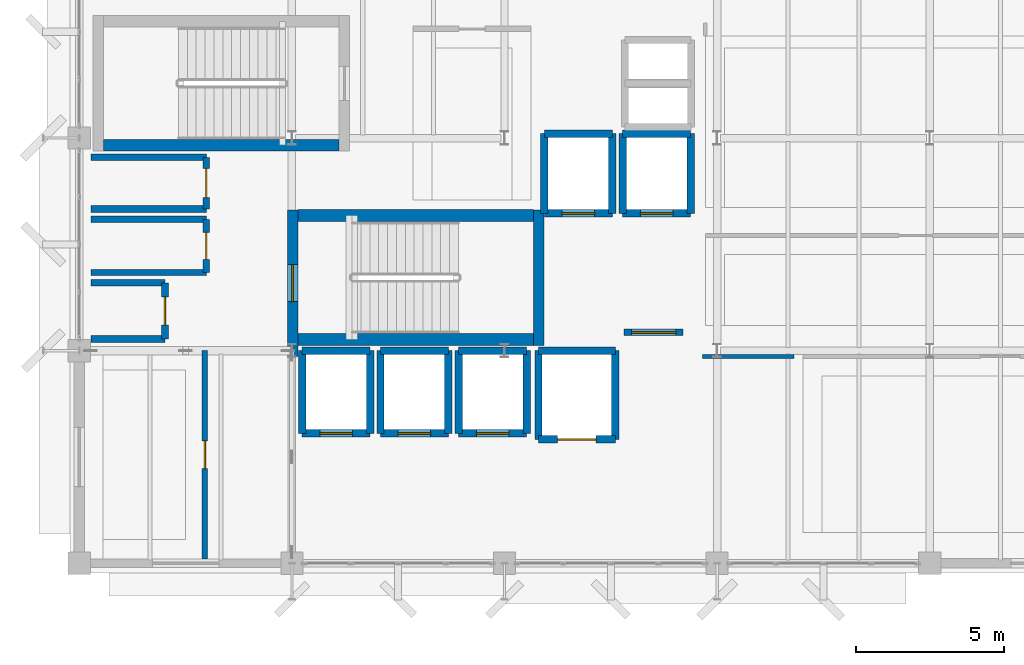
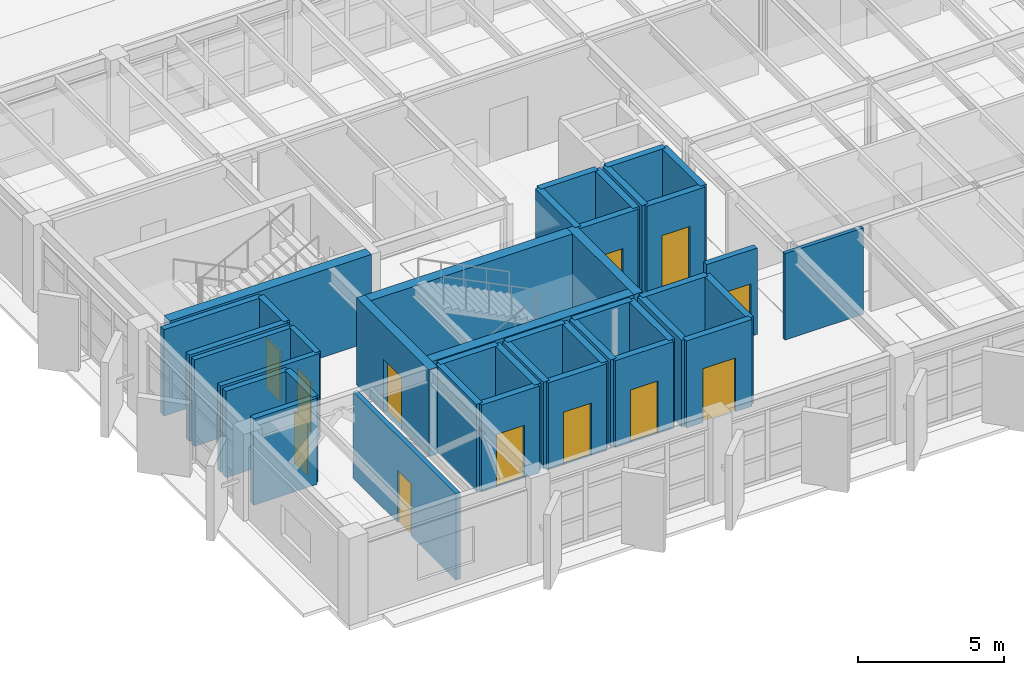
# One storey, part 31 of 48: 41 walls, 12 doors, 12 openings.
"""IFC4 building model written with IfcOpenShell, lengths in metres."""

from ifc_helpers import new_model, si_unit, direction, frame, frame_2d, origin, place, context, subcontext, project, spatial, rectangle, extrude, material, layer, layer_set, type_object, element, fill, save


model = new_model("IFC4")

# Units and contexts
model_context = context("Model", 3, precision=1e-05, world=origin(), true_north=direction((0.0, 1.0)))
body_context = subcontext(model_context, "Body", "Model", "MODEL_VIEW")
ifc_project = project(units=[si_unit("LENGTHUNIT", "METRE"), si_unit("AREAUNIT", "SQUARE_METRE"), si_unit("VOLUMEUNIT", "CUBIC_METRE"), si_unit("PLANEANGLEUNIT", "RADIAN"), si_unit("MASSUNIT", "GRAM", prefix="KILO")], contexts=[model_context])

# Site, building, storey
site_placement = place(None, origin())
site = spatial("IfcSite", under=ifc_project, at=site_placement, CompositionType="ELEMENT")
building_placement = place(site_placement, origin())
building = spatial("IfcBuilding", under=site, at=building_placement, Name="Kandorven Conservatory and Botanical Research Centre", CompositionType="ELEMENT")
storey_placement = place(building_placement, frame((0.0, 0.0, 13.199951171875)))
storey = spatial("IfcBuildingStorey", under=building, at=storey_placement, Name="L03", CompositionType="ELEMENT", Elevation=13.199951171875)

# Walls
ifc_material_1 = material(Name="Concrete C40/50 (M50)", Category="concrete")
ifc_layer_1 = layer(ifc_material_1, 0.39990234375)
ifc_layer_set_1 = layer_set([ifc_layer_1], Name="Concrete C40/50 (M50)")
wall_type_1 = type_object("IfcWallType", Name="Wall_CW-RC-1", PredefinedType="SHEAR", material=ifc_layer_set_1)
for number, where, z_axis, x_axis, name in (
    (1, (13.39990234375, 13.574951171875, 0.0), (0.0, 0.0, 1.0), (1.0, 0.0, 0.0), "Core stair shear wall CW-RC-1 ST-T1 L03 side A"),
    (2, (13.39990234375, 17.77490234375, 0.0), (0.0, 0.0, 1.0), (1.0, 0.0, 0.0), "Core stair shear wall CW-RC-1 ST-T1 L03 side B"),
    (3, (14.800048828125, 20.155029296875, 0.0), (0.0, 0.0, 1.0), (-1.0, 0.0, 0.0), "Core stair shear wall CW-RC-1 ST-T2 L03 side B"),
):
    element("IfcWall", number, at=place(storey_placement, frame(where, z_axis=z_axis, x_axis=x_axis)), inside=storey, type_object=wall_type_1, Name=name, PredefinedType="SHEAR", context=body_context, shape_type="SweptSolid", body=[
        extrude(rectangle(XDim=7.97998046875, YDim=0.39990234375, at=frame_2d((3.989990234375, 0.0))), origin(), (0.0, 0.0, 1.0), 3.635009765625),
    ])

# Wall, opening, door
ifc_material_2 = material(Name="Concrete C40/50 (M50)", Category="concrete")
ifc_layer_2 = layer(ifc_material_2, 0.35009765625)
ifc_layer_set_2 = layer_set([ifc_layer_2], Name="Concrete C40/50 (M50)")
wall_type_2 = type_object("IfcWallType", Name="Wall_CW-RC-2", PredefinedType="SHEAR", material=ifc_layer_set_2)
wall_1_placement = place(storey_placement, frame((13.22509765625, 13.0, 0.0), z_axis=(0.0, 0.0, 1.0), x_axis=(0.0, 1.0, 0.0)))
wall_1 = element("IfcWall", 4, at=wall_1_placement, inside=storey, type_object=wall_type_2, Name="Core stair shear wall CW-RC-2 ST-T1 L03 entry", PredefinedType="SHEAR", context=body_context, shape_type="SweptSolid", body=[
    extrude(rectangle(XDim=4.969970703125, YDim=0.35009765625, at=frame_2d((2.48486328125, 0.0))), origin(), (0.0, 0.0, 1.0), 3.635009765625),
])
opening_1_placement = place(wall_1_placement, frame((1.860107421875, 0.0, 0.0)))
opening_1 = element("IfcOpeningElement", 5, at=opening_1_placement, cuts=wall_1, Name="Opening FD-1", PredefinedType="OPENING", context=body_context, shape_type="SweptSolid", body=[
    extrude(rectangle(XDim=1.25, YDim=2.199951171875, at=frame_2d((0.625, 1.10009765625))), frame((0.0, 0.18505859375, 0.0), z_axis=(0.0, -1.0, 0.0), x_axis=(1.0, 0.0, 0.0)), (0.0, 0.0, 1.0), 0.3701171875),
])
ifc_material_3 = material(Name="Galvanised hollow steel fire door assembly", Category="steel")
door_type_1 = type_object("IfcDoorType", Name="Door_FD-1", OperationType="NOTDEFINED", PredefinedType="DOOR", material=ifc_material_3)
door_1_placement = place(opening_1_placement, origin())
door_1 = element("IfcDoor", 6, at=door_1_placement, inside=storey, type_object=door_type_1, Name="Exit stair fire door FD-1 ST-T1 L03", OperationType="SINGLE_SWING_RIGHT", OverallHeight=2.199951171875, OverallWidth=1.25, PredefinedType="DOOR", context=body_context, shape_type="SweptSolid", body=[
    extrude(rectangle(XDim=1.25, YDim=2.199951171875, at=frame_2d((0.625, 1.10009765625))), frame((0.0, 0.02490234375, 0.0), z_axis=(0.0, -1.0, 0.0), x_axis=(1.0, 0.0, 0.0)), (0.0, 0.0, 1.0), 0.050048828125),
])
fill(opening_1, door_1)

# Wall
wall_2_placement = place(storey_placement, frame((21.554931640625, 13.3798828125, 0.0), z_axis=(0.0, 0.0, 1.0), x_axis=(0.0, 1.0, 0.0)))
element("IfcWall", 7, at=wall_2_placement, inside=storey, type_object=wall_type_2, Name="Core stair shear wall CW-RC-2 ST-T1 L03 far", PredefinedType="SHEAR", context=body_context, shape_type="SweptSolid", body=[
    extrude(rectangle(XDim=4.590087890625, YDim=0.35009765625, at=frame_2d((2.294921875, 0.0))), origin(), (0.0, 0.0, 1.0), 3.635009765625),
])

# Wall, opening, door
wall_3_placement = place(storey_placement, frame((21.75, 17.85009765625, 0.0), z_axis=(0.0, 0.0, 1.0), x_axis=(1.0, 0.0, 0.0)))
wall_3 = element("IfcWall", 8, at=wall_3_placement, inside=storey, type_object=wall_type_2, Name="Lift shaft wall FFL-1 L03 S", PredefinedType="SHEAR", context=body_context, shape_type="SweptSolid", body=[
    extrude(rectangle(XDim=2.300048828125, YDim=0.25, at=frame_2d((1.14990234375, 0.0))), origin(), (0.0, 0.0, 1.0), 3.635009765625),
])
opening_2_placement = place(wall_3_placement, frame((0.60009765625, 0.0, 0.0)))
opening_2 = element("IfcOpeningElement", 9, at=opening_2_placement, cuts=wall_3, Name="Opening LD-01", PredefinedType="OPENING", context=body_context, shape_type="SweptSolid", body=[
    extrude(rectangle(XDim=1.10009765625, YDim=2.199951171875, at=frame_2d((0.550048828125, 1.10009765625))), frame((0.0, 0.135009765625, 0.0), z_axis=(0.0, -1.0, 0.0), x_axis=(1.0, 0.0, 0.0)), (0.0, 0.0, 1.0), 0.27001953125),
])
ifc_material_4 = material(Name="Anodised aluminium sliding landing door", Category="aluminium")
door_type_2 = type_object("IfcDoorType", Name="Door_LD-01", OperationType="DOUBLE_DOOR_SLIDING", PredefinedType="DOOR", material=ifc_material_4)
door_2_placement = place(opening_2_placement, origin())
door_2 = element("IfcDoor", 10, at=door_2_placement, inside=storey, type_object=door_type_2, Name="Lift landing sliding door LD-01 (FFL-1 L03)", OperationType="DOUBLE_DOOR_SLIDING", OverallHeight=2.199951171875, OverallWidth=1.10009765625, PredefinedType="DOOR", context=body_context, shape_type="SweptSolid", body=[
    extrude(rectangle(XDim=1.10009765625, YDim=2.199951171875, at=frame_2d((0.550048828125, 1.10009765625))), frame((0.0, 0.02490234375, 0.0), z_axis=(0.0, -1.0, 0.0), x_axis=(1.0, 0.0, 0.0)), (0.0, 0.0, 1.0), 0.050048828125),
])
fill(opening_2, door_2)

# Walls
wall_4_placement = place(storey_placement, frame((21.75, 20.550048828125, 0.0), z_axis=(0.0, 0.0, 1.0), x_axis=(1.0, 0.0, 0.0)))
element("IfcWall", 11, at=wall_4_placement, inside=storey, type_object=wall_type_2, Name="Lift shaft wall FFL-1 L03 N", PredefinedType="SHEAR", context=body_context, shape_type="SweptSolid", body=[
    extrude(rectangle(XDim=2.300048828125, YDim=0.25, at=frame_2d((1.14990234375, 0.0))), origin(), (0.0, 0.0, 1.0), 3.635009765625),
])
for number, where, z_axis, x_axis, name in (
    (12, (21.75, 17.85009765625, 0.0), (0.0, 0.0, 1.0), (0.0, 1.0, 0.0), "Lift shaft wall FFL-1 L03 W"),
    (13, (24.050048828125, 17.85009765625, 0.0), (0.0, 0.0, 1.0), (0.0, 1.0, 0.0), "Lift shaft wall FFL-1 L03 E"),
):
    element("IfcWall", number, at=place(storey_placement, frame(where, z_axis=z_axis, x_axis=x_axis)), inside=storey, type_object=wall_type_2, Name=name, PredefinedType="SHEAR", context=body_context, shape_type="SweptSolid", body=[
        extrude(rectangle(XDim=2.699951171875, YDim=0.25, at=frame_2d((1.35009765625, 0.0))), origin(), (0.0, 0.0, 1.0), 3.635009765625),
    ])

# Wall, opening, door
wall_5_placement = place(storey_placement, frame((24.39990234375, 17.85009765625, 0.0), z_axis=(0.0, 0.0, 1.0), x_axis=(1.0, 0.0, 0.0)))
wall_5 = element("IfcWall", 14, at=wall_5_placement, inside=storey, type_object=wall_type_2, Name="Lift shaft wall FFL-2 L03 S", PredefinedType="SHEAR", context=body_context, shape_type="SweptSolid", body=[
    extrude(rectangle(XDim=2.300048828125, YDim=0.25, at=frame_2d((1.14990234375, 0.0))), origin(), (0.0, 0.0, 1.0), 3.635009765625),
])
opening_3_placement = place(wall_5_placement, frame((0.60009765625, 0.0, 0.0)))
opening_3 = element("IfcOpeningElement", 15, at=opening_3_placement, cuts=wall_5, Name="Opening LD-01", PredefinedType="OPENING", context=body_context, shape_type="SweptSolid", body=[
    extrude(rectangle(XDim=1.10009765625, YDim=2.199951171875, at=frame_2d((0.550048828125, 1.10009765625))), frame((0.0, 0.135009765625, 0.0), z_axis=(0.0, -1.0, 0.0), x_axis=(1.0, 0.0, 0.0)), (0.0, 0.0, 1.0), 0.27001953125),
])
door_3_placement = place(opening_3_placement, origin())
door_3 = element("IfcDoor", 16, at=door_3_placement, inside=storey, type_object=door_type_2, Name="Lift landing sliding door LD-01 (FFL-2 L03)", OperationType="DOUBLE_DOOR_SLIDING", OverallHeight=2.199951171875, OverallWidth=1.10009765625, PredefinedType="DOOR", context=body_context, shape_type="SweptSolid", body=[
    extrude(rectangle(XDim=1.10009765625, YDim=2.199951171875, at=frame_2d((0.550048828125, 1.10009765625))), frame((0.0, 0.02490234375, 0.0), z_axis=(0.0, -1.0, 0.0), x_axis=(1.0, 0.0, 0.0)), (0.0, 0.0, 1.0), 0.050048828125),
])
fill(opening_3, door_3)

# Walls
wall_6_placement = place(storey_placement, frame((24.39990234375, 20.550048828125, 0.0), z_axis=(0.0, 0.0, 1.0), x_axis=(1.0, 0.0, 0.0)))
element("IfcWall", 17, at=wall_6_placement, inside=storey, type_object=wall_type_2, Name="Lift shaft wall FFL-2 L03 N", PredefinedType="SHEAR", context=body_context, shape_type="SweptSolid", body=[
    extrude(rectangle(XDim=2.300048828125, YDim=0.25, at=frame_2d((1.14990234375, 0.0))), origin(), (0.0, 0.0, 1.0), 3.635009765625),
])
for number, where, z_axis, x_axis, name in (
    (18, (24.39990234375, 17.85009765625, 0.0), (0.0, 0.0, 1.0), (0.0, 1.0, 0.0), "Lift shaft wall FFL-2 L03 W"),
    (19, (26.699951171875, 17.85009765625, 0.0), (0.0, 0.0, 1.0), (0.0, 1.0, 0.0), "Lift shaft wall FFL-2 L03 E"),
):
    element("IfcWall", number, at=place(storey_placement, frame(where, z_axis=z_axis, x_axis=x_axis)), inside=storey, type_object=wall_type_2, Name=name, PredefinedType="SHEAR", context=body_context, shape_type="SweptSolid", body=[
        extrude(rectangle(XDim=2.699951171875, YDim=0.25, at=frame_2d((1.35009765625, 0.0))), origin(), (0.0, 0.0, 1.0), 3.635009765625),
    ])

# Wall, opening, door
wall_7_placement = place(storey_placement, frame((13.550048828125, 10.39990234375, 0.0), z_axis=(0.0, 0.0, 1.0), x_axis=(1.0, 0.0, 0.0)))
wall_7 = element("IfcWall", 20, at=wall_7_placement, inside=storey, type_object=wall_type_2, Name="Lift shaft wall PL-1 L03 S", PredefinedType="SHEAR", context=body_context, shape_type="SweptSolid", body=[
    extrude(rectangle(XDim=2.300048828125, YDim=0.25, at=frame_2d((1.14990234375, 0.0))), origin(), (0.0, 0.0, 1.0), 3.635009765625),
])
opening_4_placement = place(wall_7_placement, frame((0.60009765625, 0.0, 0.0)))
opening_4 = element("IfcOpeningElement", 21, at=opening_4_placement, cuts=wall_7, Name="Opening LD-01", PredefinedType="OPENING", context=body_context, shape_type="SweptSolid", body=[
    extrude(rectangle(XDim=1.10009765625, YDim=2.199951171875, at=frame_2d((0.550048828125, 1.10009765625))), frame((0.0, 0.135009765625, 0.0), z_axis=(0.0, -1.0, 0.0), x_axis=(1.0, 0.0, 0.0)), (0.0, 0.0, 1.0), 0.27001953125),
])
door_4_placement = place(opening_4_placement, origin())
door_4 = element("IfcDoor", 22, at=door_4_placement, inside=storey, type_object=door_type_2, Name="Lift landing sliding door LD-01 (PL-1 L03)", OperationType="DOUBLE_DOOR_SLIDING", OverallHeight=2.199951171875, OverallWidth=1.10009765625, PredefinedType="DOOR", context=body_context, shape_type="SweptSolid", body=[
    extrude(rectangle(XDim=1.10009765625, YDim=2.199951171875, at=frame_2d((0.550048828125, 1.10009765625))), frame((0.0, 0.02490234375, 0.0), z_axis=(0.0, -1.0, 0.0), x_axis=(1.0, 0.0, 0.0)), (0.0, 0.0, 1.0), 0.050048828125),
])
fill(opening_4, door_4)

# Walls
wall_8_placement = place(storey_placement, frame((13.550048828125, 13.199951171875, 0.0), z_axis=(0.0, 0.0, 1.0), x_axis=(1.0, 0.0, 0.0)))
element("IfcWall", 23, at=wall_8_placement, inside=storey, type_object=wall_type_2, Name="Lift shaft wall PL-1 L03 N", PredefinedType="SHEAR", context=body_context, shape_type="SweptSolid", body=[
    extrude(rectangle(XDim=2.300048828125, YDim=0.25, at=frame_2d((1.14990234375, 0.0))), origin(), (0.0, 0.0, 1.0), 3.635009765625),
])
for number, where, z_axis, x_axis, name in (
    (24, (13.550048828125, 10.39990234375, 0.0), (0.0, 0.0, 1.0), (0.0, 1.0, 0.0), "Lift shaft wall PL-1 L03 W"),
    (25, (15.85009765625, 10.39990234375, 0.0), (0.0, 0.0, 1.0), (0.0, 1.0, 0.0), "Lift shaft wall PL-1 L03 E"),
):
    element("IfcWall", number, at=place(storey_placement, frame(where, z_axis=z_axis, x_axis=x_axis)), inside=storey, type_object=wall_type_2, Name=name, PredefinedType="SHEAR", context=body_context, shape_type="SweptSolid", body=[
        extrude(rectangle(XDim=2.800048828125, YDim=0.25, at=frame_2d((1.39990234375, 0.0))), origin(), (0.0, 0.0, 1.0), 3.635009765625),
    ])

# Wall, opening, door
wall_9_placement = place(storey_placement, frame((16.199951171875, 10.39990234375, 0.0), z_axis=(0.0, 0.0, 1.0), x_axis=(1.0, 0.0, 0.0)))
wall_9 = element("IfcWall", 26, at=wall_9_placement, inside=storey, type_object=wall_type_2, Name="Lift shaft wall PL-2 L03 S", PredefinedType="SHEAR", context=body_context, shape_type="SweptSolid", body=[
    extrude(rectangle(XDim=2.300048828125, YDim=0.25, at=frame_2d((1.14990234375, 0.0))), origin(), (0.0, 0.0, 1.0), 3.635009765625),
])
opening_5_placement = place(wall_9_placement, frame((0.60009765625, 0.0, 0.0)))
opening_5 = element("IfcOpeningElement", 27, at=opening_5_placement, cuts=wall_9, Name="Opening LD-01", PredefinedType="OPENING", context=body_context, shape_type="SweptSolid", body=[
    extrude(rectangle(XDim=1.10009765625, YDim=2.199951171875, at=frame_2d((0.550048828125, 1.10009765625))), frame((0.0, 0.135009765625, 0.0), z_axis=(0.0, -1.0, 0.0), x_axis=(1.0, 0.0, 0.0)), (0.0, 0.0, 1.0), 0.27001953125),
])
door_5_placement = place(opening_5_placement, origin())
door_5 = element("IfcDoor", 28, at=door_5_placement, inside=storey, type_object=door_type_2, Name="Lift landing sliding door LD-01 (PL-2 L03)", OperationType="DOUBLE_DOOR_SLIDING", OverallHeight=2.199951171875, OverallWidth=1.10009765625, PredefinedType="DOOR", context=body_context, shape_type="SweptSolid", body=[
    extrude(rectangle(XDim=1.10009765625, YDim=2.199951171875, at=frame_2d((0.550048828125, 1.10009765625))), frame((0.0, 0.02490234375, 0.0), z_axis=(0.0, -1.0, 0.0), x_axis=(1.0, 0.0, 0.0)), (0.0, 0.0, 1.0), 0.050048828125),
])
fill(opening_5, door_5)

# Walls
wall_10_placement = place(storey_placement, frame((16.199951171875, 13.199951171875, 0.0), z_axis=(0.0, 0.0, 1.0), x_axis=(1.0, 0.0, 0.0)))
element("IfcWall", 29, at=wall_10_placement, inside=storey, type_object=wall_type_2, Name="Lift shaft wall PL-2 L03 N", PredefinedType="SHEAR", context=body_context, shape_type="SweptSolid", body=[
    extrude(rectangle(XDim=2.300048828125, YDim=0.25, at=frame_2d((1.14990234375, 0.0))), origin(), (0.0, 0.0, 1.0), 3.635009765625),
])
for number, where, z_axis, x_axis, name in (
    (30, (16.199951171875, 10.39990234375, 0.0), (0.0, 0.0, 1.0), (0.0, 1.0, 0.0), "Lift shaft wall PL-2 L03 W"),
    (31, (18.5, 10.39990234375, 0.0), (0.0, 0.0, 1.0), (0.0, 1.0, 0.0), "Lift shaft wall PL-2 L03 E"),
):
    element("IfcWall", number, at=place(storey_placement, frame(where, z_axis=z_axis, x_axis=x_axis)), inside=storey, type_object=wall_type_2, Name=name, PredefinedType="SHEAR", context=body_context, shape_type="SweptSolid", body=[
        extrude(rectangle(XDim=2.800048828125, YDim=0.25, at=frame_2d((1.39990234375, 0.0))), origin(), (0.0, 0.0, 1.0), 3.635009765625),
    ])

# Wall, opening, door
wall_11_placement = place(storey_placement, frame((18.85009765625, 10.39990234375, 0.0), z_axis=(0.0, 0.0, 1.0), x_axis=(1.0, 0.0, 0.0)))
wall_11 = element("IfcWall", 32, at=wall_11_placement, inside=storey, type_object=wall_type_2, Name="Lift shaft wall PL-3 L03 S", PredefinedType="SHEAR", context=body_context, shape_type="SweptSolid", body=[
    extrude(rectangle(XDim=2.2998046875, YDim=0.25, at=frame_2d((1.14990234375, 0.0))), origin(), (0.0, 0.0, 1.0), 3.635009765625),
])
opening_6_placement = place(wall_11_placement, frame((0.60009765625, 0.0, 0.0)))
opening_6 = element("IfcOpeningElement", 33, at=opening_6_placement, cuts=wall_11, Name="Opening LD-01", PredefinedType="OPENING", context=body_context, shape_type="SweptSolid", body=[
    extrude(rectangle(XDim=1.10009765625, YDim=2.199951171875, at=frame_2d((0.550048828125, 1.10009765625))), frame((0.0, 0.135009765625, 0.0), z_axis=(0.0, -1.0, 0.0), x_axis=(1.0, 0.0, 0.0)), (0.0, 0.0, 1.0), 0.27001953125),
])
door_6_placement = place(opening_6_placement, origin())
door_6 = element("IfcDoor", 34, at=door_6_placement, inside=storey, type_object=door_type_2, Name="Lift landing sliding door LD-01 (PL-3 L03)", OperationType="DOUBLE_DOOR_SLIDING", OverallHeight=2.199951171875, OverallWidth=1.10009765625, PredefinedType="DOOR", context=body_context, shape_type="SweptSolid", body=[
    extrude(rectangle(XDim=1.10009765625, YDim=2.199951171875, at=frame_2d((0.550048828125, 1.10009765625))), frame((0.0, 0.02490234375, 0.0), z_axis=(0.0, -1.0, 0.0), x_axis=(1.0, 0.0, 0.0)), (0.0, 0.0, 1.0), 0.050048828125),
])
fill(opening_6, door_6)

# Walls
wall_12_placement = place(storey_placement, frame((18.85009765625, 13.199951171875, 0.0), z_axis=(0.0, 0.0, 1.0), x_axis=(1.0, 0.0, 0.0)))
element("IfcWall", 35, at=wall_12_placement, inside=storey, type_object=wall_type_2, Name="Lift shaft wall PL-3 L03 N", PredefinedType="SHEAR", context=body_context, shape_type="SweptSolid", body=[
    extrude(rectangle(XDim=2.2998046875, YDim=0.25, at=frame_2d((1.14990234375, 0.0))), origin(), (0.0, 0.0, 1.0), 3.635009765625),
])
for number, where, z_axis, x_axis, name in (
    (36, (18.85009765625, 10.39990234375, 0.0), (0.0, 0.0, 1.0), (0.0, 1.0, 0.0), "Lift shaft wall PL-3 L03 W"),
    (37, (21.14990234375, 10.39990234375, 0.0), (0.0, 0.0, 1.0), (0.0, 1.0, 0.0), "Lift shaft wall PL-3 L03 E"),
):
    element("IfcWall", number, at=place(storey_placement, frame(where, z_axis=z_axis, x_axis=x_axis)), inside=storey, type_object=wall_type_2, Name=name, PredefinedType="SHEAR", context=body_context, shape_type="SweptSolid", body=[
        extrude(rectangle(XDim=2.800048828125, YDim=0.25, at=frame_2d((1.39990234375, 0.0))), origin(), (0.0, 0.0, 1.0), 3.635009765625),
    ])

# Wall, opening, door
wall_13_placement = place(storey_placement, frame((21.550048828125, 10.199951171875, 0.0), z_axis=(0.0, 0.0, 1.0), x_axis=(1.0, 0.0, 0.0)))
wall_13 = element("IfcWall", 38, at=wall_13_placement, inside=storey, type_object=wall_type_2, Name="Lift shaft wall GL-1 L03 S", PredefinedType="SHEAR", context=body_context, shape_type="SweptSolid", body=[
    extrude(rectangle(XDim=2.599853515625, YDim=0.25, at=frame_2d((1.2998046875, 0.0))), origin(), (0.0, 0.0, 1.0), 3.635009765625),
])
opening_7_placement = place(wall_13_placement, frame((0.64990234375, 0.0, 0.0)))
opening_7 = element("IfcOpeningElement", 39, at=opening_7_placement, cuts=wall_13, Name="Opening LD-02", PredefinedType="OPENING", context=body_context, shape_type="SweptSolid", body=[
    extrude(rectangle(XDim=1.300048828125, YDim=2.25, at=frame_2d((0.64990234375, 1.125))), frame((0.0, 0.135009765625, 0.0), z_axis=(0.0, -1.0, 0.0), x_axis=(1.0, 0.0, 0.0)), (0.0, 0.0, 1.0), 0.27001953125),
])
ifc_material_5 = material(Name="Anodised aluminium sliding landing door", Category="aluminium")
door_type_3 = type_object("IfcDoorType", Name="Door_LD-02", OperationType="DOUBLE_DOOR_SLIDING", PredefinedType="DOOR", material=ifc_material_5)
door_7_placement = place(opening_7_placement, origin())
door_7 = element("IfcDoor", 40, at=door_7_placement, inside=storey, type_object=door_type_3, Name="Lift landing sliding door LD-02 (GL-1 L03)", OperationType="DOUBLE_DOOR_SLIDING", OverallHeight=2.25, OverallWidth=1.300048828125, PredefinedType="DOOR", context=body_context, shape_type="SweptSolid", body=[
    extrude(rectangle(XDim=1.300048828125, YDim=2.25, at=frame_2d((0.64990234375, 1.125))), frame((0.0, 0.02490234375, 0.0), z_axis=(0.0, -1.0, 0.0), x_axis=(1.0, 0.0, 0.0)), (0.0, 0.0, 1.0), 0.050048828125),
])
fill(opening_7, door_7)

# Walls
wall_14_placement = place(storey_placement, frame((21.550048828125, 13.199951171875, 0.0), z_axis=(0.0, 0.0, 1.0), x_axis=(1.0, 0.0, 0.0)))
element("IfcWall", 41, at=wall_14_placement, inside=storey, type_object=wall_type_2, Name="Lift shaft wall GL-1 L03 N", PredefinedType="SHEAR", context=body_context, shape_type="SweptSolid", body=[
    extrude(rectangle(XDim=2.599853515625, YDim=0.25, at=frame_2d((1.2998046875, 0.0))), origin(), (0.0, 0.0, 1.0), 3.635009765625),
])
for number, where, z_axis, x_axis, name in (
    (42, (21.550048828125, 10.199951171875, 0.0), (0.0, 0.0, 1.0), (0.0, 1.0, 0.0), "Lift shaft wall GL-1 L03 W"),
    (43, (24.14990234375, 10.199951171875, 0.0), (0.0, 0.0, 1.0), (0.0, 1.0, 0.0), "Lift shaft wall GL-1 L03 E"),
):
    element("IfcWall", number, at=place(storey_placement, frame(where, z_axis=z_axis, x_axis=x_axis)), inside=storey, type_object=wall_type_2, Name=name, PredefinedType="SHEAR", context=body_context, shape_type="SweptSolid", body=[
        extrude(rectangle(XDim=3.0, YDim=0.25, at=frame_2d((1.5, 0.0))), origin(), (0.0, 0.0, 1.0), 3.635009765625),
    ])

# Wall, opening, door
ifc_material_6 = material(Name="Autoclaved aerated concrete blockwork masonry", Category="masonry")
ifc_layer_3 = layer(ifc_material_6, 0.179931640625)
ifc_layer_set_3 = layer_set([ifc_layer_3], Name="Autoclaved aerated concrete blockwork masonry")
wall_type_3 = type_object("IfcWallType", Name="Wall_IW-03", PredefinedType="PARTITIONING", material=ifc_layer_set_3)
wall_15_placement = place(storey_placement, frame((10.25, 6.14990234375, 0.0), z_axis=(0.0, 0.0, 1.0), x_axis=(0.0, 1.0, 0.0)))
wall_15 = element("IfcWall", 44, at=wall_15_placement, inside=storey, type_object=wall_type_3, Name="Interior partition wall IW-03 (Botanical Chemotaxonomy Research Laboratory L03)", PredefinedType="PARTITIONING", context=body_context, shape_type="SweptSolid", body=[
    extrude(rectangle(XDim=7.050048828125, YDim=0.179931640625, at=frame_2d((3.52490234375, 0.0))), origin(), (0.0, 0.0, 1.0), 3.614990234375),
])
opening_8_placement = place(wall_15_placement, frame((3.054931640625, 0.0, 0.0)))
opening_8 = element("IfcOpeningElement", 45, at=opening_8_placement, cuts=wall_15, Name="Opening D-20", PredefinedType="OPENING", context=body_context, shape_type="SweptSolid", body=[
    extrude(rectangle(XDim=0.93994140625, YDim=2.179931640625, at=frame_2d((0.469970703125, 1.08984375))), frame((0.0, 0.099853515625, 0.0), z_axis=(0.0, -1.0, 0.0), x_axis=(1.0, 0.0, 0.0)), (0.0, 0.0, 1.0), 0.199951171875),
])
ifc_material_7 = material(Name="Solid core acoustic teak-veneered timber leaf", Category="wood")
door_type_4 = type_object("IfcDoorType", Name="Door_D-20", OperationType="NOTDEFINED", PredefinedType="DOOR", material=ifc_material_7)
door_8_placement = place(opening_8_placement, frame((0.93994140625, 0.0, 0.0), z_axis=(0.0, 0.0, 1.0), x_axis=(-1.0, 0.0, 0.0)))
door_8 = element("IfcDoor", 46, at=door_8_placement, inside=storey, type_object=door_type_4, Name="Interior door D-20 to Botanical Chemotaxonomy Research Laboratory L03", OperationType="SINGLE_SWING_RIGHT", OverallHeight=2.179931640625, OverallWidth=0.93994140625, PredefinedType="DOOR", context=body_context, shape_type="SweptSolid", body=[
    extrude(rectangle(XDim=0.93994140625, YDim=2.179931640625, at=frame_2d((0.469970703125, 1.08984375))), frame((0.0, 0.02490234375, 0.0), z_axis=(0.0, -1.0, 0.0), x_axis=(1.0, 0.0, 0.0)), (0.0, 0.0, 1.0), 0.050048828125),
])
fill(opening_8, door_8)

# Wall
ifc_material_8 = material(Name="Fire-rated acoustic gypsum board partition", Category="gypsum")
ifc_layer_4 = layer(ifc_material_8, 0.139892578125)
ifc_layer_set_4 = layer_set([ifc_layer_4], Name="Fire-rated acoustic gypsum board partition")
wall_type_4 = type_object("IfcWallType", Name="Wall_IW-06", PredefinedType="PARTITIONING", material=ifc_layer_set_4)
wall_16_placement = place(storey_placement, frame((27.10009765625, 13.0, 0.0), z_axis=(0.0, 0.0, 1.0), x_axis=(1.0, 0.0, 0.0)))
element("IfcWall", 47, at=wall_16_placement, inside=storey, type_object=wall_type_4, Name="Interior partition wall IW-06 (Mycology Research Laboratory L03)", PredefinedType="PARTITIONING", context=body_context, shape_type="SweptSolid", body=[
    extrude(rectangle(XDim=3.099853515625, YDim=0.139892578125, at=frame_2d((1.5498046875, 0.0))), origin(), (0.0, 0.0, 1.0), 3.614990234375),
])

# Wall, opening, door
ifc_material_9 = material(Name="Concrete C32/40 (M40)", Category="concrete")
ifc_layer_5 = layer(ifc_material_9, 0.22509765625)
ifc_layer_set_5 = layer_set([ifc_layer_5], Name="Concrete C32/40 (M40)")
wall_type_5 = type_object("IfcWallType", Name="Wall_IW-FR-2", PredefinedType="SOLIDWALL", material=ifc_layer_set_5)
wall_17_placement = place(storey_placement, frame((24.449951171875, 13.820068359375, 0.0), z_axis=(0.0, 0.0, 1.0), x_axis=(1.0, 0.0, 0.0)))
wall_17 = element("IfcWall", 48, at=wall_17_placement, inside=storey, type_object=wall_type_5, Name="Interior fire partition wall IW-FR-2 (Firefighting Lift Lobby L03)", PredefinedType="SOLIDWALL", context=body_context, shape_type="SweptSolid", body=[
    extrude(rectangle(XDim=2.0, YDim=0.22509765625, at=frame_2d((1.0, 0.0))), origin(), (0.0, 0.0, 1.0), 3.614990234375),
])
opening_9_placement = place(wall_17_placement, frame((0.25, 0.0, 0.0)))
opening_9 = element("IfcOpeningElement", 49, at=opening_9_placement, cuts=wall_17, Name="Opening FD-3", PredefinedType="OPENING", context=body_context, shape_type="SweptSolid", body=[
    extrude(rectangle(XDim=1.5, YDim=2.199951171875, at=frame_2d((0.75, 1.10009765625))), frame((0.0, 0.12255859375, 0.0), z_axis=(0.0, -1.0, 0.0), x_axis=(1.0, 0.0, 0.0)), (0.0, 0.0, 1.0), 0.2451171875),
])
ifc_material_10 = material(Name="Galvanised hollow steel fire door assembly", Category="steel")
door_type_5 = type_object("IfcDoorType", Name="Door_FD-3", OperationType="NOTDEFINED", PredefinedType="DOOR", material=ifc_material_10)
door_9_placement = place(opening_9_placement, origin())
door_9 = element("IfcDoor", 50, at=door_9_placement, inside=storey, type_object=door_type_5, Name="Interior door FD-3 to Firefighting Lift Lobby L03", OperationType="SINGLE_SWING_LEFT", OverallHeight=2.199951171875, OverallWidth=1.5, PredefinedType="DOOR", context=body_context, shape_type="SweptSolid", body=[
    extrude(rectangle(XDim=1.5, YDim=2.199951171875, at=frame_2d((0.75, 1.10009765625))), frame((0.0, 0.02490234375, 0.0), z_axis=(0.0, -1.0, 0.0), x_axis=(1.0, 0.0, 0.0)), (0.0, 0.0, 1.0), 0.050048828125),
])
fill(opening_9, door_9)

ifc_material_11 = material(Name="Autoclaved aerated concrete blockwork masonry", Category="masonry")
ifc_layer_6 = layer(ifc_material_11, 0.22998046875)
ifc_layer_set_6 = layer_set([ifc_layer_6], Name="Autoclaved aerated concrete blockwork masonry")
wall_type_6 = type_object("IfcWallType", Name="Wall_PW-PL-1", PredefinedType="PLUMBINGWALL", material=ifc_layer_set_6)
wall_18_placement = place(storey_placement, frame((8.89990234375, 13.60009765625, 0.0), z_axis=(0.0, 0.0, 1.0), x_axis=(0.0, 1.0, 0.0)))
wall_18 = element("IfcWall", 51, at=wall_18_placement, inside=storey, type_object=wall_type_6, Name="Interior partition wall PW-PL-1 (Accessible WC L03)", PredefinedType="PLUMBINGWALL", context=body_context, shape_type="SweptSolid", body=[
    extrude(rectangle(XDim=1.89990234375, YDim=0.22998046875, at=frame_2d((0.949951171875, 0.0))), origin(), (0.0, 0.0, 1.0), 3.614990234375),
])
opening_10_placement = place(wall_18_placement, frame((0.47509765625, 0.0, 0.0)))
opening_10 = element("IfcOpeningElement", 52, at=opening_10_placement, cuts=wall_18, Name="Opening D-01", PredefinedType="OPENING", context=body_context, shape_type="SweptSolid", body=[
    extrude(rectangle(XDim=0.949951171875, YDim=2.14990234375, at=frame_2d((0.47509765625, 1.074951171875))), frame((0.0, 0.125, 0.0), z_axis=(0.0, -1.0, 0.0), x_axis=(1.0, 0.0, 0.0)), (0.0, 0.0, 1.0), 0.25),
])
ifc_material_12 = material(Name="Solid core acoustic teak-veneered timber leaf", Category="wood")
door_type_6 = type_object("IfcDoorType", Name="Door_D-01", OperationType="NOTDEFINED", PredefinedType="DOOR", material=ifc_material_12)
door_10_placement = place(opening_10_placement, origin())
door_10 = element("IfcDoor", 53, at=door_10_placement, inside=storey, type_object=door_type_6, Name="Interior door D-01 to Accessible WC L03", OperationType="SINGLE_SWING_RIGHT", OverallHeight=2.14990234375, OverallWidth=0.949951171875, PredefinedType="DOOR", context=body_context, shape_type="SweptSolid", body=[
    extrude(rectangle(XDim=0.949951171875, YDim=2.14990234375, at=frame_2d((0.47509765625, 1.074951171875))), frame((0.0, 0.02490234375, 0.0), z_axis=(0.0, -1.0, 0.0), x_axis=(1.0, 0.0, 0.0)), (0.0, 0.0, 1.0), 0.050048828125),
])
fill(opening_10, door_10)

# Walls
for number, where, z_axis, x_axis, name in (
    (54, (6.39990234375, 13.60009765625, 0.0), (0.0, 0.0, 1.0), (1.0, 0.0, 0.0), "Sanitary enclosure wall PW-PL-1 (Accessible WC L03 S)"),
    (55, (6.39990234375, 15.5, 0.0), (0.0, 0.0, 1.0), (1.0, 0.0, 0.0), "Sanitary enclosure wall PW-PL-1 (Accessible WC L03 N)"),
):
    element("IfcWall", number, at=place(storey_placement, frame(where, z_axis=z_axis, x_axis=x_axis)), inside=storey, type_object=wall_type_6, Name=name, PredefinedType="PLUMBINGWALL", context=body_context, shape_type="SweptSolid", body=[
        extrude(rectangle(XDim=2.5, YDim=0.22998046875, at=frame_2d((1.25, 0.0))), origin(), (0.0, 0.0, 1.0), 3.614990234375),
    ])

# Wall, opening, door
wall_19_placement = place(storey_placement, frame((10.300048828125, 18.0, 0.0), z_axis=(0.0, 0.0, 1.0), x_axis=(0.0, 1.0, 0.0)))
wall_19 = element("IfcWall", 56, at=wall_19_placement, inside=storey, type_object=wall_type_6, Name="Interior partition wall PW-PL-1 (Public Male WC L03)", PredefinedType="PLUMBINGWALL", context=body_context, shape_type="SweptSolid", body=[
    extrude(rectangle(XDim=1.75, YDim=0.22998046875, at=frame_2d((0.875, 0.0))), origin(), (0.0, 0.0, 1.0), 3.614990234375),
])
opening_11_placement = place(wall_19_placement, frame((0.385009765625, 0.0, 0.0)))
opening_11 = element("IfcOpeningElement", 57, at=opening_11_placement, cuts=wall_19, Name="Opening D-12", PredefinedType="OPENING", context=body_context, shape_type="SweptSolid", body=[
    extrude(rectangle(XDim=0.97998046875, YDim=2.10009765625, at=frame_2d((0.489990234375, 1.050048828125))), frame((0.0, 0.125, 0.0), z_axis=(0.0, -1.0, 0.0), x_axis=(1.0, 0.0, 0.0)), (0.0, 0.0, 1.0), 0.25),
])
ifc_material_13 = material(Name="Solid core acoustic teak-veneered timber leaf", Category="wood")
door_type_7 = type_object("IfcDoorType", Name="Door_D-12", OperationType="NOTDEFINED", PredefinedType="DOOR", material=ifc_material_13)
door_11_placement = place(opening_11_placement, origin())
door_11 = element("IfcDoor", 58, at=door_11_placement, inside=storey, type_object=door_type_7, Name="Interior door D-12 to Public Male WC L03", OperationType="SINGLE_SWING_RIGHT", OverallHeight=2.10009765625, OverallWidth=0.97998046875, PredefinedType="DOOR", context=body_context, shape_type="SweptSolid", body=[
    extrude(rectangle(XDim=0.97998046875, YDim=2.10009765625, at=frame_2d((0.489990234375, 1.050048828125))), frame((0.0, 0.02490234375, 0.0), z_axis=(0.0, -1.0, 0.0), x_axis=(1.0, 0.0, 0.0)), (0.0, 0.0, 1.0), 0.050048828125),
])
fill(opening_11, door_11)

# Walls
for number, where, z_axis, x_axis, name in (
    (59, (6.39990234375, 18.0, 0.0), (0.0, 0.0, 1.0), (1.0, 0.0, 0.0), "Sanitary enclosure wall PW-PL-1 (Public Male WC L03 S)"),
    (60, (6.39990234375, 19.75, 0.0), (0.0, 0.0, 1.0), (1.0, 0.0, 0.0), "Sanitary enclosure wall PW-PL-1 (Public Male WC L03 N)"),
):
    element("IfcWall", number, at=place(storey_placement, frame(where, z_axis=z_axis, x_axis=x_axis)), inside=storey, type_object=wall_type_6, Name=name, PredefinedType="PLUMBINGWALL", context=body_context, shape_type="SweptSolid", body=[
        extrude(rectangle(XDim=3.900146484375, YDim=0.22998046875, at=frame_2d((1.9501953125, 0.0))), origin(), (0.0, 0.0, 1.0), 3.614990234375),
    ])

# Wall, opening, door
ifc_material_14 = material(Name="Autoclaved aerated concrete blockwork masonry", Category="masonry")
ifc_layer_7 = layer(ifc_material_14, 0.205078125)
ifc_layer_set_7 = layer_set([ifc_layer_7], Name="Autoclaved aerated concrete blockwork masonry")
wall_type_7 = type_object("IfcWallType", Name="Wall_PW-PL-2", PredefinedType="PLUMBINGWALL", material=ifc_layer_set_7)
wall_20_placement = place(storey_placement, frame((10.300048828125, 15.85009765625, 0.0), z_axis=(0.0, 0.0, 1.0), x_axis=(0.0, 1.0, 0.0)))
wall_20 = element("IfcWall", 61, at=wall_20_placement, inside=storey, type_object=wall_type_7, Name="Interior partition wall PW-PL-2 (Public Female WC L03)", PredefinedType="PLUMBINGWALL", context=body_context, shape_type="SweptSolid", body=[
    extrude(rectangle(XDim=1.7998046875, YDim=0.205078125, at=frame_2d((0.89990234375, 0.0))), origin(), (0.0, 0.0, 1.0), 3.614990234375),
])
opening_12_placement = place(wall_20_placement, frame((0.43994140625, 0.0, 0.0)))
opening_12 = element("IfcOpeningElement", 62, at=opening_12_placement, cuts=wall_20, Name="Opening D-11", PredefinedType="OPENING", context=body_context, shape_type="SweptSolid", body=[
    extrude(rectangle(XDim=0.919921875, YDim=2.10009765625, at=frame_2d((0.4599609375, 1.050048828125))), frame((0.0, 0.112548828125, 0.0), z_axis=(0.0, -1.0, 0.0), x_axis=(1.0, 0.0, 0.0)), (0.0, 0.0, 1.0), 0.22509765625),
])
ifc_material_15 = material(Name="Solid core acoustic teak-veneered timber leaf", Category="wood")
door_type_8 = type_object("IfcDoorType", Name="Door_D-11", OperationType="NOTDEFINED", PredefinedType="DOOR", material=ifc_material_15)
door_12_placement = place(opening_12_placement, frame((0.919921875, 0.0, 0.0), z_axis=(0.0, 0.0, 1.0), x_axis=(-1.0, 0.0, 0.0)))
door_12 = element("IfcDoor", 63, at=door_12_placement, inside=storey, type_object=door_type_8, Name="Interior door D-11 to Public Female WC L03", OperationType="SINGLE_SWING_LEFT", OverallHeight=2.10009765625, OverallWidth=0.919921875, PredefinedType="DOOR", context=body_context, shape_type="SweptSolid", body=[
    extrude(rectangle(XDim=0.919921875, YDim=2.10009765625, at=frame_2d((0.4599609375, 1.050048828125))), frame((0.0, 0.02490234375, 0.0), z_axis=(0.0, -1.0, 0.0), x_axis=(1.0, 0.0, 0.0)), (0.0, 0.0, 1.0), 0.050048828125),
])
fill(opening_12, door_12)

# Walls
for number, where, z_axis, x_axis, name in (
    (64, (6.39990234375, 15.85009765625, 0.0), (0.0, 0.0, 1.0), (1.0, 0.0, 0.0), "Sanitary enclosure wall PW-PL-2 (Public Female WC L03 S)"),
    (65, (6.39990234375, 17.64990234375, 0.0), (0.0, 0.0, 1.0), (1.0, 0.0, 0.0), "Sanitary enclosure wall PW-PL-2 (Public Female WC L03 N)"),
):
    element("IfcWall", number, at=place(storey_placement, frame(where, z_axis=z_axis, x_axis=x_axis)), inside=storey, type_object=wall_type_7, Name=name, PredefinedType="PLUMBINGWALL", context=body_context, shape_type="SweptSolid", body=[
        extrude(rectangle(XDim=3.900146484375, YDim=0.205078125, at=frame_2d((1.9501953125, 0.0))), origin(), (0.0, 0.0, 1.0), 3.614990234375),
    ])

save(model, "model.ifc")
